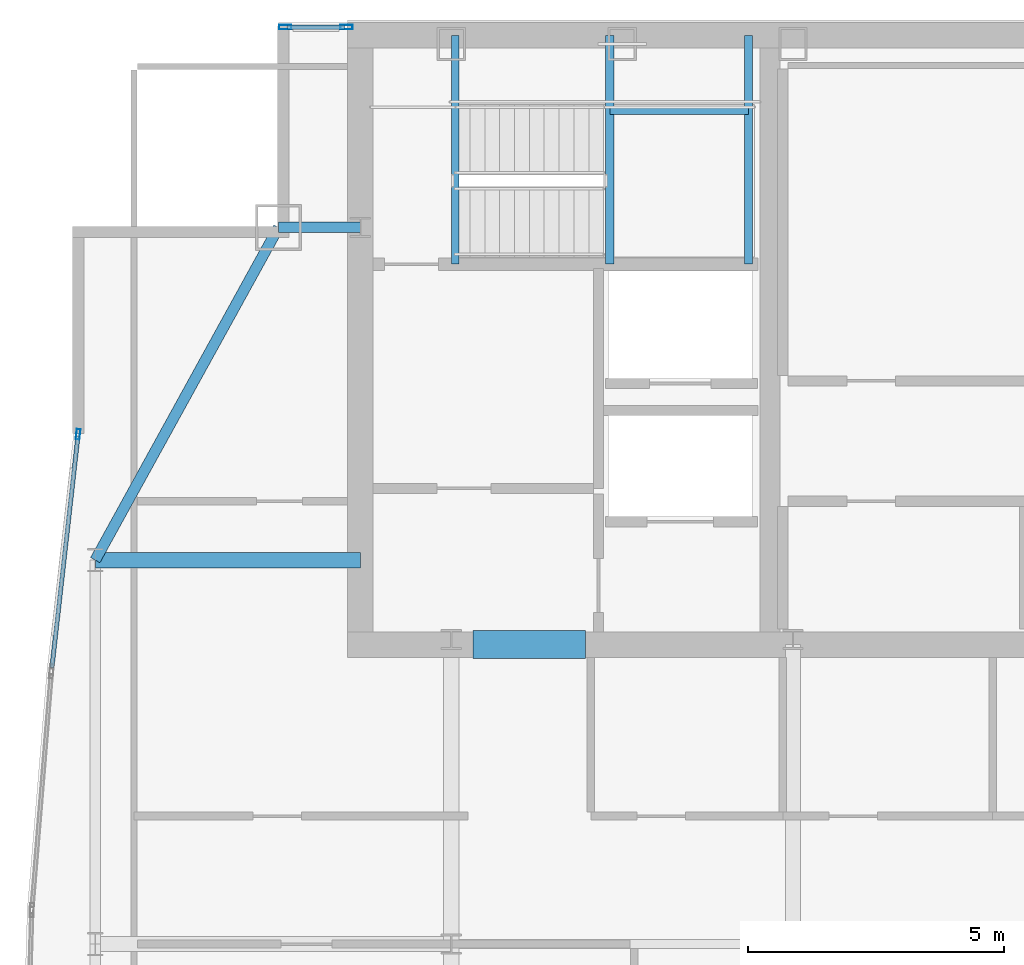
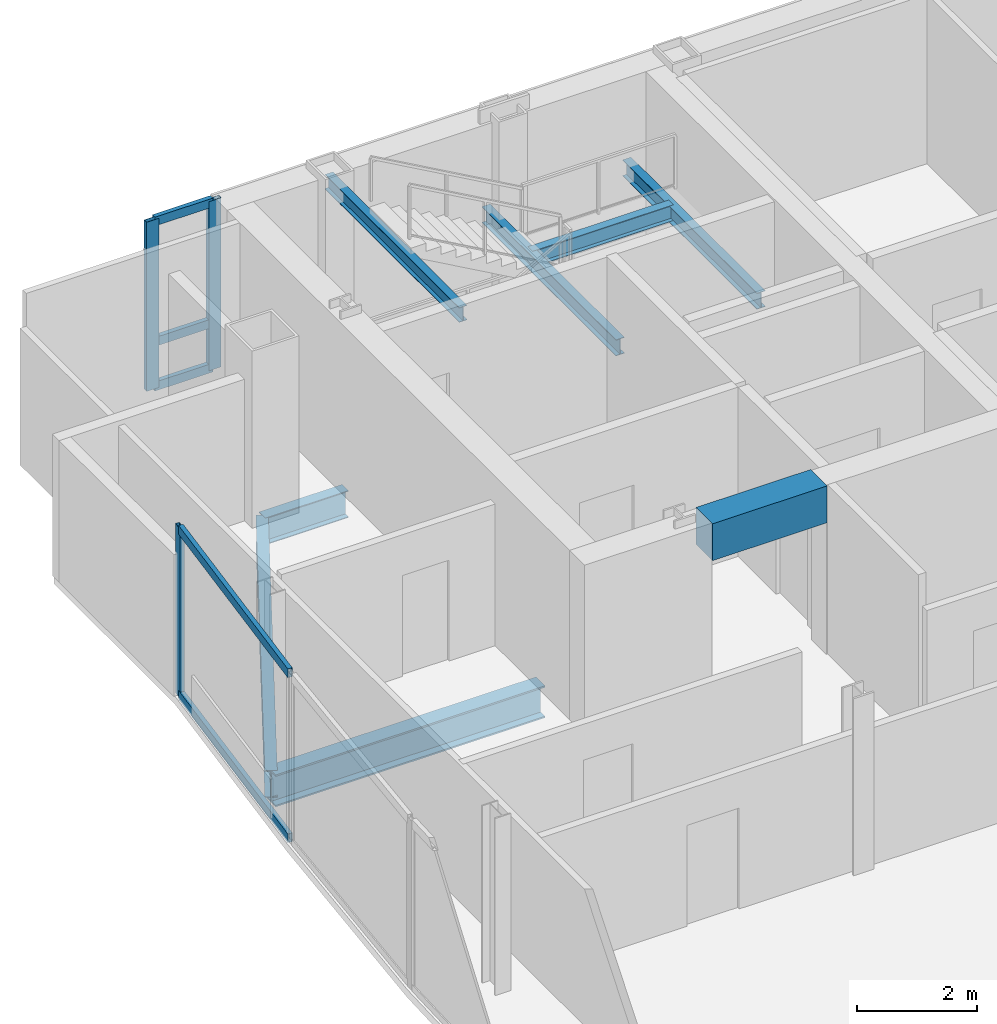
# One storey, part 16 of 25: 8 beams, 8 members, 2 elements without a shape of their own.
"""IFC4 building model written with IfcOpenShell, lengths in metres."""

from ifc_helpers import new_model, si_unit, direction, frame, origin, origin_2d, place, context, subcontext, project, spatial, rectangle, hollow_rectangle, i_section, extrude, material, material_profile, profile_set, type_object, element, aggregate, save


model = new_model("IFC4")

# Units and contexts
model_context = context("Model", 3, precision=1e-05, world=origin(), true_north=direction((0.0, 1.0)))
body_context = subcontext(model_context, "Body", "Model", "MODEL_VIEW")
ifc_project = project(units=[si_unit("LENGTHUNIT", "METRE"), si_unit("AREAUNIT", "SQUARE_METRE"), si_unit("VOLUMEUNIT", "CUBIC_METRE"), si_unit("PLANEANGLEUNIT", "RADIAN"), si_unit("MASSUNIT", "GRAM", prefix="KILO")], contexts=[model_context])

# Site, building, storey
site_placement = place(None, origin())
site = spatial("IfcSite", under=ifc_project, at=site_placement, CompositionType="ELEMENT")
building_placement = place(site_placement, origin())
building = spatial("IfcBuilding", under=site, at=building_placement, Name="Khoronbel Lancet Exchange", CompositionType="ELEMENT")
storey_placement = place(building_placement, frame((0.0, 0.0, 298.60009765625)))
storey = spatial("IfcBuildingStorey", under=building, at=storey_placement, Name="L77", CompositionType="ELEMENT", Elevation=298.60009765625)

# Beams
ifc_material_1 = material(Name="Steel S355", Category="steel")
ifc_material_profile_1 = material_profile(ifc_material_1, i_section(OverallWidth=0.300048828125, OverallDepth=0.64990234375, WebThickness=0.01611328125, FlangeThickness=0.031005859375, at=origin_2d()), Name="HEB 650")
ifc_profile_set_1 = profile_set([ifc_material_profile_1], Name="Steel S355")
beam_type_1 = type_object("IfcBeamType", Name="BM-BG4", PredefinedType="BEAM", material=ifc_profile_set_1)
beam_1_placement = place(storey_placement, frame((11.27001953125, 43.199951171875, -0.485107421875), z_axis=(1.0, 0.0, 0.0), x_axis=(0.0, 1.0, 0.0)))
element("IfcBeam", 1, at=beam_1_placement, inside=storey, type_object=beam_type_1, Name="Level L77 west lens tie girder LG3W", PredefinedType="BEAM", context=body_context, shape_type="SweptSolid", body=[
    extrude(i_section(OverallWidth=0.300048828125, OverallDepth=0.64990234375, WebThickness=0.01611328125, FlangeThickness=0.031005859375, at=origin_2d()), origin(), (0.0, 0.0, 1.0), 5.179931640625),
])
ifc_material_profile_2 = material_profile(ifc_material_1, i_section(OverallWidth=0.159912109375, OverallDepth=0.330078125, WebThickness=0.007568359375, FlangeThickness=0.011474609375, at=origin_2d()), Name="IPE 330")
ifc_profile_set_2 = profile_set([ifc_material_profile_2], Name="Steel S355")
beam_type_2 = type_object("IfcBeamType", Name="BM-BJ7", PredefinedType="JOIST", material=ifc_profile_set_2)
for number, where, z_axis, x_axis, name in (
    (2, (21.320068359375, 48.97998046875, 1.434814453125), (0.0, 1.0, 0.0), (-1.0, 0.0, 0.0), "Level L77 stair ST1 landing bearer beam 1"),
    (3, (24.030029296875, 48.97998046875, 1.434814453125), (0.0, 1.0, 0.0), (-1.0, 0.0, 0.0), "Level L77 stair ST1 rear landing bearer beam 1"),
):
    element("IfcBeam", number, at=place(storey_placement, frame(where, z_axis=z_axis, x_axis=x_axis)), inside=storey, type_object=beam_type_2, Name=name, PredefinedType="JOIST", context=body_context, shape_type="SweptSolid", body=[
        extrude(i_section(OverallWidth=0.159912109375, OverallDepth=0.330078125, WebThickness=0.007568359375, FlangeThickness=0.011474609375, at=origin_2d()), origin(), (0.0, 0.0, 1.0), 4.469970703125),
    ])
beam_2_placement = place(storey_placement, frame((21.320068359375, 51.97998046875, 1.434814453125), z_axis=(1.0, 0.0, 0.0), x_axis=(0.0, 1.0, 0.0)))
element("IfcBeam", 4, at=beam_2_placement, inside=storey, type_object=beam_type_2, Name="Level L77 stair ST1 landing cross trimmer beam 1", PredefinedType="JOIST", context=body_context, shape_type="SweptSolid", body=[
    extrude(i_section(OverallWidth=0.159912109375, OverallDepth=0.330078125, WebThickness=0.007568359375, FlangeThickness=0.011474609375, at=origin_2d()), origin(), (0.0, 0.0, 1.0), 2.7099609375),
])
ifc_material_profile_3 = material_profile(ifc_material_1, i_section(OverallWidth=0.14990234375, OverallDepth=0.300048828125, WebThickness=0.007080078125, FlangeThickness=0.0107421875, at=origin_2d()), Name="IPE 300")
ifc_profile_set_3 = profile_set([ifc_material_profile_3], Name="Steel S355")
beam_type_3 = type_object("IfcBeamType", Name="BM-BJ8", PredefinedType="JOIST", material=ifc_profile_set_3)
beam_3_placement = place(storey_placement, frame((18.300048828125, 48.97998046875, 3.159912109375), z_axis=(0.0, 1.0, 0.0), x_axis=(-1.0, 0.0, 0.0)))
element("IfcBeam", 5, at=beam_3_placement, inside=storey, type_object=beam_type_3, Name="Level L77 stair ST1 upper-flight arrival trimmer beam", PredefinedType="JOIST", context=body_context, shape_type="SweptSolid", body=[
    extrude(i_section(OverallWidth=0.14990234375, OverallDepth=0.300048828125, WebThickness=0.007080078125, FlangeThickness=0.0107421875, at=origin_2d()), origin(), (0.0, 0.0, 1.0), 4.469970703125),
])
ifc_material_2 = material(Name="Concrete C60/75", Category="concrete")
ifc_material_profile_4 = material_profile(ifc_material_2, rectangle(XDim=0.550048828125, YDim=0.75, at=origin_2d()), Name="RC 550x750")
ifc_profile_set_4 = profile_set([ifc_material_profile_4], Name="Concrete C60/75")
beam_type_4 = type_object("IfcBeamType", Name="BM-BL2", PredefinedType="LINTEL", material=ifc_profile_set_4)
beam_4_placement = place(storey_placement, frame((18.64990234375, 41.550048828125, 3.06494140625), z_axis=(1.0, 0.0, 0.0), x_axis=(0.0, 1.0, 0.0)))
element("IfcBeam", 6, at=beam_4_placement, inside=storey, type_object=beam_type_4, Name="Level L77 rear core coupling lintel L1", PredefinedType="LINTEL", context=body_context, shape_type="SweptSolid", body=[
    extrude(rectangle(XDim=0.550048828125, YDim=0.75, at=origin_2d()), origin(), (0.0, 0.0, 1.0), 2.2001953125),
])
ifc_material_profile_5 = material_profile(ifc_material_1, i_section(OverallWidth=0.2099609375, OverallDepth=0.550048828125, WebThickness=0.010986328125, FlangeThickness=0.01708984375, at=origin_2d()), Name="IPE 550")
ifc_profile_set_5 = profile_set([ifc_material_profile_5], Name="Steel S355")
beam_type_5 = type_object("IfcBeamType", Name="BM-BSP3", PredefinedType="SPANDREL", material=ifc_profile_set_5)
beam_5_placement = place(storey_placement, frame((14.85009765625, 49.699951171875, -0.43505859375), z_axis=(-0.482444051088, -0.875926787791, 0.0), x_axis=(0.875926787791, -0.482444051088, 0.0)))
element("IfcBeam", 7, at=beam_5_placement, inside=storey, type_object=beam_type_5, Name="Level L77 perimeter spandrel beam SP16", PredefinedType="SPANDREL", context=body_context, shape_type="SweptSolid", body=[
    extrude(i_section(OverallWidth=0.2099609375, OverallDepth=0.550048828125, WebThickness=0.010986328125, FlangeThickness=0.01708984375, at=origin_2d()), origin(), (0.0, 0.0, 1.0), 7.420654296875),
])
beam_6_placement = place(storey_placement, frame((14.85009765625, 49.699951171875, -0.43505859375), z_axis=(1.0, 0.0, 0.0), x_axis=(0.0, 1.0, 0.0)))
element("IfcBeam", 8, at=beam_6_placement, inside=storey, type_object=beam_type_5, Name="Level L77 north flank tie spandrel SP22", PredefinedType="SPANDREL", context=body_context, shape_type="SweptSolid", body=[
    extrude(i_section(OverallWidth=0.2099609375, OverallDepth=0.550048828125, WebThickness=0.010986328125, FlangeThickness=0.01708984375, at=origin_2d()), origin(), (0.0, 0.0, 1.0), 1.599853515625),
])

# Curtain wall, members
ifc_material_3 = material(Name="Low-E Solar Control Insulating Glass", Category="glass")
curtain_wall_type_1 = type_object("IfcCurtainWallType", Name="CW-3", PredefinedType="NOTDEFINED", material=ifc_material_3)
curtain_wall_1_placement = place(storey_placement, origin())
curtain_wall_1 = element("IfcCurtainWall", 9, at=curtain_wall_1_placement, inside=storey, type_object=curtain_wall_type_1, Name="Unitised curtain wall CW-L77-NWFLK", PredefinedType="NOTDEFINED")
ifc_material_4 = material(Name="Bronze-Anodised Aluminium 6063-T6", Category="aluminium")
ifc_material_profile_6 = material_profile(ifc_material_4, hollow_rectangle(XDim=0.0849609375, YDim=0.239990234375, WallThickness=0.006103515625, at=origin_2d()), Name="ALU MULLION 85x240")
ifc_profile_set_6 = profile_set([ifc_material_profile_6], Name="Bronze-Anodised Aluminium 6063-T6")
member_type_1 = type_object("IfcMemberType", Name="MEM-CWM1", PredefinedType="MULLION", material=ifc_profile_set_6)
member_1_placement = place(storey_placement, frame((16.177490234375, 53.610107421875, 0.0), z_axis=(0.0, 0.0, 1.0), x_axis=(0.0, -1.0, 0.0)))
member_1 = element("IfcMember", 10, at=member_1_placement, type_object=member_type_1, Name="CW3 mullion 1", PredefinedType="MULLION", context=body_context, shape_type="SweptSolid", body=[
    extrude(hollow_rectangle(XDim=0.0849609375, YDim=0.239990234375, WallThickness=0.006103515625, at=origin_2d()), origin(), (0.0, 0.0, 1.0), 3.43994140625),
])
member_2_placement = place(storey_placement, frame((14.982421875, 53.610107421875, 0.0), z_axis=(0.0, 0.0, 1.0), x_axis=(0.0, -1.0, 0.0)))
member_2 = element("IfcMember", 11, at=member_2_placement, type_object=member_type_1, Name="CW3 mullion 2", PredefinedType="MULLION", context=body_context, shape_type="SweptSolid", body=[
    extrude(hollow_rectangle(XDim=0.0849609375, YDim=0.239990234375, WallThickness=0.006103515625, at=origin_2d()), origin(), (0.0, 0.0, 1.0), 3.43994140625),
])

curtain_wall_type_2 = type_object("IfcCurtainWallType", Name="CW-4", PredefinedType="NOTDEFINED", material=ifc_material_3)
curtain_wall_2_placement = place(storey_placement, origin())
curtain_wall_2 = element("IfcCurtainWall", 12, at=curtain_wall_2_placement, inside=storey, type_object=curtain_wall_type_2, Name="Unitised curtain wall CW-L77-E09", PredefinedType="NOTDEFINED")
ifc_material_profile_7 = material_profile(ifc_material_4, hollow_rectangle(XDim=0.074951171875, YDim=0.199951171875, WallThickness=0.0048828125, at=origin_2d()), Name="ALU MULLION 75x200")
ifc_profile_set_7 = profile_set([ifc_material_profile_7], Name="Bronze-Anodised Aluminium 6063-T6")
member_type_2 = type_object("IfcMemberType", Name="MEM-CWM2", PredefinedType="MULLION", material=ifc_profile_set_7)
member_3_placement = place(storey_placement, frame((10.935791015625, 45.65771484375, 0.0), z_axis=(0.0, 0.0, 1.0), x_axis=(-0.993731788903, 0.111790570813, 0.0)))
member_3 = element("IfcMember", 13, at=member_3_placement, type_object=member_type_2, Name="CW4 mullion 2", PredefinedType="MULLION", context=body_context, shape_type="SweptSolid", body=[
    extrude(hollow_rectangle(XDim=0.074951171875, YDim=0.199951171875, WallThickness=0.0048828125, at=origin_2d()), origin(), (0.0, 0.0, 1.0), 3.43994140625),
])
ifc_material_profile_8 = material_profile(ifc_material_4, hollow_rectangle(XDim=0.0849609375, YDim=0.179931640625, WallThickness=0.0048828125, at=origin_2d()), Name="ALU TRANSOM 85x180")
ifc_profile_set_8 = profile_set([ifc_material_profile_8], Name="Bronze-Anodised Aluminium 6063-T6")
member_type_3 = type_object("IfcMemberType", Name="MEM-CWT1", PredefinedType="USERDEFINED", material=ifc_profile_set_8)
member_4_placement = place(storey_placement, frame((10.423095703125, 41.09912109375, 0.04248046875), z_axis=(0.111774239585, 0.993733625961, 0.0), x_axis=(-0.993733625961, 0.111774239585, 0.0)))
member_4 = element("IfcMember", 14, at=member_4_placement, type_object=member_type_3, Name="CW4 transom 1.1", ObjectType="TRANSOM", PredefinedType="USERDEFINED", context=body_context, shape_type="SweptSolid", body=[
    extrude(hollow_rectangle(XDim=0.0849609375, YDim=0.179931640625, WallThickness=0.0048828125, at=origin_2d()), origin(), (0.0, 0.0, 1.0), 4.5498046875),
])
member_5_placement = place(storey_placement, frame((10.423095703125, 41.09912109375, 3.3974609375), z_axis=(0.111774239585, 0.993733625961, 0.0), x_axis=(-0.993733625961, 0.111774239585, 0.0)))
member_5 = element("IfcMember", 15, at=member_5_placement, type_object=member_type_3, Name="CW4 transom 1.2", ObjectType="TRANSOM", PredefinedType="USERDEFINED", context=body_context, shape_type="SweptSolid", body=[
    extrude(hollow_rectangle(XDim=0.0849609375, YDim=0.179931640625, WallThickness=0.0048828125, at=origin_2d()), origin(), (0.0, 0.0, 1.0), 4.5498046875),
])
aggregate(curtain_wall_2, [member_3, member_4, member_5])

# Member
member_6_placement = place(storey_placement, frame((16.135009765625, 53.610107421875, 0.04248046875), z_axis=(-1.0, 0.0, 0.0), x_axis=(0.0, -1.0, 0.0)))
member_6 = element("IfcMember", 16, at=member_6_placement, type_object=member_type_3, Name="CW3 transom 1.1", ObjectType="TRANSOM", PredefinedType="USERDEFINED", context=body_context, shape_type="SweptSolid", body=[
    extrude(hollow_rectangle(XDim=0.0849609375, YDim=0.179931640625, WallThickness=0.0048828125, at=origin_2d()), origin(), (0.0, 0.0, 1.0), 1.110107421875),
])

member_7_placement = place(storey_placement, frame((16.135009765625, 53.610107421875, 0.949951171875), z_axis=(-1.0, 0.0, 0.0), x_axis=(0.0, -1.0, 0.0)))
member_7 = element("IfcMember", 17, at=member_7_placement, type_object=member_type_3, Name="CW3 transom 1.2", ObjectType="TRANSOM", PredefinedType="USERDEFINED", context=body_context, shape_type="SweptSolid", body=[
    extrude(hollow_rectangle(XDim=0.0849609375, YDim=0.179931640625, WallThickness=0.0048828125, at=origin_2d()), origin(), (0.0, 0.0, 1.0), 1.110107421875),
])

member_8_placement = place(storey_placement, frame((16.135009765625, 53.610107421875, 3.3974609375), z_axis=(-1.0, 0.0, 0.0), x_axis=(0.0, -1.0, 0.0)))
member_8 = element("IfcMember", 18, at=member_8_placement, type_object=member_type_3, Name="CW3 transom 1.3", ObjectType="TRANSOM", PredefinedType="USERDEFINED", context=body_context, shape_type="SweptSolid", body=[
    extrude(hollow_rectangle(XDim=0.0849609375, YDim=0.179931640625, WallThickness=0.0048828125, at=origin_2d()), origin(), (0.0, 0.0, 1.0), 1.110107421875),
])

aggregate(curtain_wall_1, [member_1, member_2, member_6, member_7, member_8])

save(model, "model.ifc")
